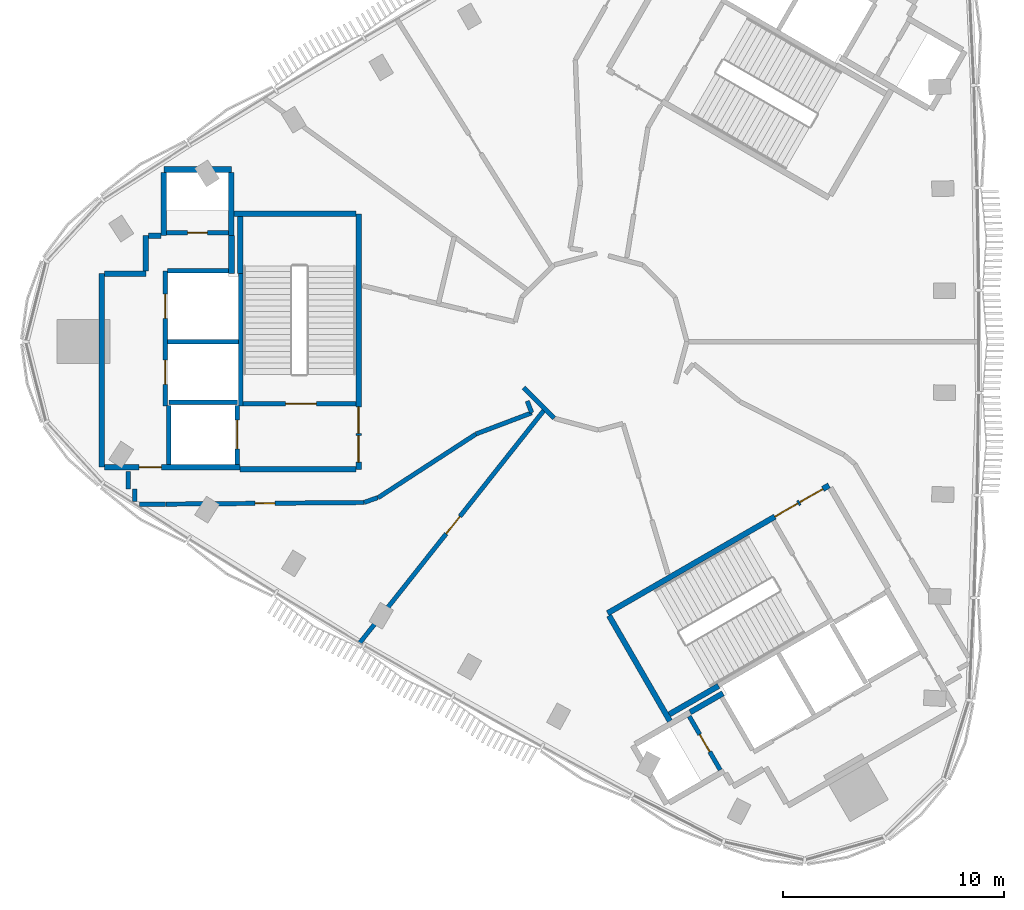
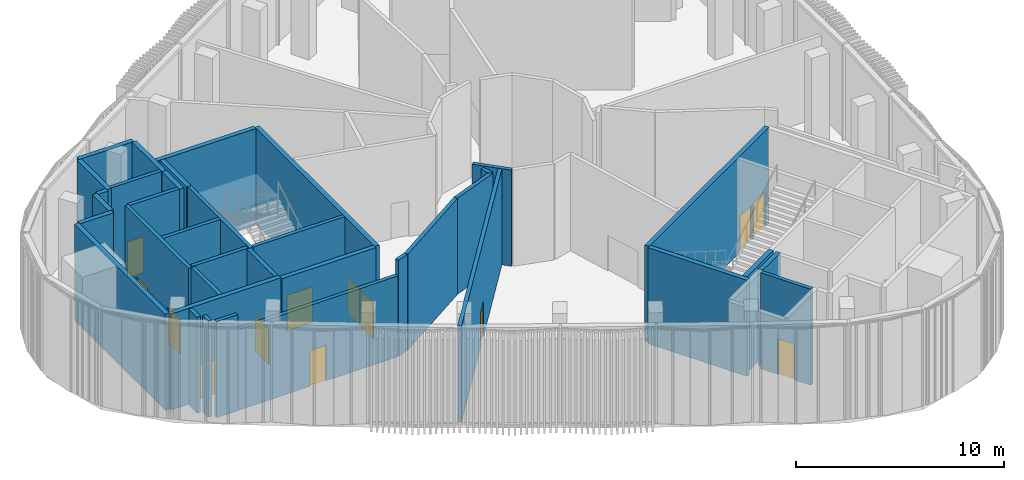
# One storey, part 3 of 11: 37 walls, 13 doors, 13 openings.
"""IFC4 building model written with IfcOpenShell, lengths in metres."""

from ifc_helpers import new_model, si_unit, direction, frame, frame_2d, origin, place, context, subcontext, project, spatial, rectangle, extrude, material, layer, layer_set, type_object, element, fill, save


model = new_model("IFC4")

# Units and contexts
model_context = context("Model", 3, precision=1e-05, world=origin(), true_north=direction((0.0, 1.0)))
body_context = subcontext(model_context, "Body", "Model", "MODEL_VIEW")
ifc_project = project(units=[si_unit("LENGTHUNIT", "METRE"), si_unit("AREAUNIT", "SQUARE_METRE"), si_unit("VOLUMEUNIT", "CUBIC_METRE"), si_unit("PLANEANGLEUNIT", "RADIAN"), si_unit("MASSUNIT", "GRAM", prefix="KILO")], contexts=[model_context])

# Site, building, storey
site_placement = place(None, origin())
site = spatial("IfcSite", under=ifc_project, at=site_placement, CompositionType="ELEMENT")
building_placement = place(site_placement, origin())
building = spatial("IfcBuilding", under=site, at=building_placement, Name="Tamra Quay Hotel Tower", CompositionType="ELEMENT")
storey_placement = place(building_placement, frame((0.0, 0.0, 306.60009765625)))
storey = spatial("IfcBuildingStorey", under=building, at=storey_placement, Name="L77", CompositionType="ELEMENT", Elevation=306.60009765625)

# Wall
ifc_material_1 = material(Name="Concrete M70", Category="concrete")
ifc_layer_1 = layer(ifc_material_1, 0.199951171875)
ifc_layer_set_1 = layer_set([ifc_layer_1], Name="Concrete M70 core wall 200")
wall_type_1 = type_object("IfcWallType", Name="Concrete M70 core wall 200", PredefinedType="SHEAR", material=ifc_layer_set_1)
wall_1_placement = place(storey_placement, frame((-16.162109375, 3.073974609375, 0.0), z_axis=(0.0, 0.0, 1.0), x_axis=(0.0, -1.0, 0.0)))
element("IfcWall", 1, at=wall_1_placement, inside=storey, type_object=wall_type_1, Name="CW2", PredefinedType="SHEAR", context=body_context, shape_type="SweptSolid", body=[
    extrude(rectangle(XDim=5.97412109375, YDim=0.199951171875, at=frame_2d((2.987060546875, 0.0))), origin(), (0.0, 0.0, 1.0), 5.64990234375),
])

# Wall, openings, doors
wall_2_placement = place(storey_placement, frame((-19.5625, -2.900146484375, 0.0), z_axis=(0.0, 0.0, 1.0), x_axis=(0.0, 1.0, 0.0)))
wall_2 = element("IfcWall", 2, at=wall_2_placement, inside=storey, type_object=wall_type_1, Name="CW2", PredefinedType="SHEAR", context=body_context, shape_type="SweptSolid", body=[
    extrude(rectangle(XDim=6.100341796875, YDim=0.199951171875, at=frame_2d((3.05029296875, 0.0))), origin(), (0.0, 0.0, 1.0), 5.64990234375),
])
opening_1_placement = place(wall_2_placement, frame((3.9501953125, 0.0, 0.0)))
opening_1 = element("IfcOpeningElement", 3, at=opening_1_placement, cuts=wall_2, Name="Opening LD", PredefinedType="OPENING", context=body_context, shape_type="SweptSolid", body=[
    extrude(rectangle(XDim=1.10009765625, YDim=2.10009765625, at=frame_2d((0.550048828125, 1.050048828125))), frame((0.0, 0.10986328125, 0.0), z_axis=(0.0, -1.0, 0.0), x_axis=(1.0, 0.0, 0.0)), (0.0, 0.0, 1.0), 0.219970703125),
])
opening_2_placement = place(wall_2_placement, frame((0.968017578125, 0.0, 0.0)))
opening_2 = element("IfcOpeningElement", 4, at=opening_2_placement, cuts=wall_2, Name="Opening LD", PredefinedType="OPENING", context=body_context, shape_type="SweptSolid", body=[
    extrude(rectangle(XDim=1.10009765625, YDim=2.10009765625, at=frame_2d((0.550048828125, 1.050048828125))), frame((0.0, 0.10986328125, 0.0), z_axis=(0.0, -1.0, 0.0), x_axis=(1.0, 0.0, 0.0)), (0.0, 0.0, 1.0), 0.219970703125),
])
ifc_material_2 = material(Name="Landing door LD 1100 double door sliding")
door_type_1 = type_object("IfcDoorType", Name="Landing door LD 1100 double door sliding", OperationType="DOUBLE_DOOR_SLIDING", PredefinedType="DOOR", material=ifc_material_2)
door_1_placement = place(opening_1_placement, origin())
door_1 = element("IfcDoor", 5, at=door_1_placement, inside=storey, type_object=door_type_1, Name="LD", OperationType="DOUBLE_DOOR_SLIDING", OverallHeight=2.10009765625, OverallWidth=1.10009765625, PredefinedType="DOOR", context=body_context, shape_type="SweptSolid", body=[
    extrude(rectangle(XDim=1.10009765625, YDim=2.10009765625, at=frame_2d((0.550048828125, 1.050048828125))), frame((0.0, 0.02490234375, 0.0), z_axis=(0.0, -1.0, 0.0), x_axis=(1.0, 0.0, 0.0)), (0.0, 0.0, 1.0), 0.050048828125),
])
fill(opening_1, door_1)
door_2_placement = place(opening_2_placement, origin())
door_2 = element("IfcDoor", 6, at=door_2_placement, inside=storey, type_object=door_type_1, Name="LD", OperationType="DOUBLE_DOOR_SLIDING", OverallHeight=2.10009765625, OverallWidth=1.10009765625, PredefinedType="DOOR", context=body_context, shape_type="SweptSolid", body=[
    extrude(rectangle(XDim=1.10009765625, YDim=2.10009765625, at=frame_2d((0.550048828125, 1.050048828125))), frame((0.0, 0.02490234375, 0.0), z_axis=(0.0, -1.0, 0.0), x_axis=(1.0, 0.0, 0.0)), (0.0, 0.0, 1.0), 0.050048828125),
])
fill(opening_2, door_2)

# Wall, opening, door
wall_3_placement = place(storey_placement, frame((-10.96337890625, -2.800048828125, 0.0), z_axis=(0.0, 0.0, 1.0), x_axis=(-1.0, 0.0, 0.0)))
wall_3 = element("IfcWall", 7, at=wall_3_placement, inside=storey, type_object=wall_type_1, Name="CW2", PredefinedType="SHEAR", context=body_context, shape_type="SweptSolid", body=[
    extrude(rectangle(XDim=5.097900390625, YDim=0.199951171875, at=frame_2d((2.548828125, 0.0))), origin(), (0.0, 0.0, 1.0), 5.64990234375),
])
opening_3_placement = place(wall_3_placement, frame((1.77392578125, 0.0, 0.0)))
opening_3 = element("IfcOpeningElement", 8, at=opening_3_placement, cuts=wall_3, Name="Opening FD2", PredefinedType="OPENING", context=body_context, shape_type="SweptSolid", body=[
    extrude(rectangle(XDim=1.39990234375, YDim=2.10009765625, at=frame_2d((0.699951171875, 1.050048828125))), frame((0.0, 0.10986328125, 0.0), z_axis=(0.0, -1.0, 0.0), x_axis=(1.0, 0.0, 0.0)), (0.0, 0.0, 1.0), 0.219970703125),
])
ifc_material_3 = material(Name="Core door FD2 1400x2100 LH")
door_type_2 = type_object("IfcDoorType", Name="Core door FD2 1400x2100 LH", OperationType="NOTDEFINED", PredefinedType="DOOR", material=ifc_material_3)
door_3_placement = place(opening_3_placement, origin())
door_3 = element("IfcDoor", 9, at=door_3_placement, inside=storey, type_object=door_type_2, Name="FD2", OperationType="SINGLE_SWING_LEFT", OverallHeight=2.10009765625, OverallWidth=1.39990234375, PredefinedType="DOOR", context=body_context, shape_type="SweptSolid", body=[
    extrude(rectangle(XDim=1.39990234375, YDim=2.10009765625, at=frame_2d((0.699951171875, 1.050048828125))), frame((0.0, 0.02490234375, 0.0), z_axis=(0.0, -1.0, 0.0), x_axis=(1.0, 0.0, 0.0)), (0.0, 0.0, 1.0), 0.050048828125),
])
fill(opening_3, door_3)

# Wall
wall_4_placement = place(storey_placement, frame((-16.26318359375, 0.0, 0.0), z_axis=(0.0, 0.0, 1.0), x_axis=(-1.0, 0.0, 0.0)))
element("IfcWall", 10, at=wall_4_placement, inside=storey, type_object=wall_type_1, Name="CW2", PredefinedType="SHEAR", context=body_context, shape_type="SweptSolid", body=[
    extrude(rectangle(XDim=3.1982421875, YDim=0.199951171875, at=frame_2d((1.59912109375, 0.0))), origin(), (0.0, 0.0, 1.0), 5.64990234375),
])

# Wall, opening, door
wall_5_placement = place(storey_placement, frame((-19.51123046875, 4.91015625, 0.0), z_axis=(0.0, 0.0, 1.0), x_axis=(1.0, 0.0, 0.0)))
wall_5 = element("IfcWall", 11, at=wall_5_placement, inside=storey, type_object=wall_type_1, Name="CW2", PredefinedType="SHEAR", context=body_context, shape_type="SweptSolid", body=[
    extrude(rectangle(XDim=2.7978515625, YDim=0.199951171875, at=frame_2d((1.39892578125, 0.0))), origin(), (0.0, 0.0, 1.0), 5.64990234375),
])
opening_4_placement = place(wall_5_placement, frame((0.948974609375, 0.0, 0.0)))
opening_4 = element("IfcOpeningElement", 12, at=opening_4_placement, cuts=wall_5, Name="Opening D1", PredefinedType="OPENING", context=body_context, shape_type="SweptSolid", body=[
    extrude(rectangle(XDim=0.89990234375, YDim=2.10009765625, at=frame_2d((0.449951171875, 1.050048828125))), frame((0.0, 0.10986328125, 0.0), z_axis=(0.0, -1.0, 0.0), x_axis=(1.0, 0.0, 0.0)), (0.0, 0.0, 1.0), 0.219970703125),
])
ifc_material_4 = material(Name="Core door D1 900x2100 RH")
door_type_3 = type_object("IfcDoorType", Name="Core door D1 900x2100 RH", OperationType="NOTDEFINED", PredefinedType="DOOR", material=ifc_material_4)
door_4_placement = place(opening_4_placement, origin())
door_4 = element("IfcDoor", 13, at=door_4_placement, inside=storey, type_object=door_type_3, Name="D1", OperationType="SINGLE_SWING_RIGHT", OverallHeight=2.10009765625, OverallWidth=0.89990234375, PredefinedType="DOOR", context=body_context, shape_type="SweptSolid", body=[
    extrude(rectangle(XDim=0.89990234375, YDim=2.10009765625, at=frame_2d((0.449951171875, 1.050048828125))), frame((0.0, 0.02490234375, 0.0), z_axis=(0.0, -1.0, 0.0), x_axis=(1.0, 0.0, 0.0)), (0.0, 0.0, 1.0), 0.050048828125),
])
fill(opening_4, door_4)

# Walls
wall_6_placement = place(storey_placement, frame((-19.46240234375, 3.2001953125, 0.0), z_axis=(0.0, 0.0, 1.0), x_axis=(1.0, 0.0, 0.0)))
element("IfcWall", 14, at=wall_6_placement, inside=storey, type_object=wall_type_1, Name="CW2", PredefinedType="SHEAR", context=body_context, shape_type="SweptSolid", body=[
    extrude(rectangle(XDim=2.759033203125, YDim=0.199951171875, at=frame_2d((1.37939453125, 0.0))), origin(), (0.0, 0.0, 1.0), 5.64990234375),
])
wall_7_placement = place(storey_placement, frame((-19.412353515625, -2.75, 0.0), z_axis=(0.0, 0.0, 1.0), x_axis=(1.0, 0.0, 0.0)))
element("IfcWall", 15, at=wall_7_placement, inside=storey, type_object=wall_type_1, Name="CW2", PredefinedType="SHEAR", context=body_context, shape_type="SweptSolid", body=[
    extrude(rectangle(XDim=3.10009765625, YDim=0.199951171875, at=frame_2d((1.550048828125, 0.0))), origin(), (0.0, 0.0, 1.0), 5.64990234375),
])

# Wall, opening, door
wall_8_placement = place(storey_placement, frame((-16.312255859375, -2.898193359375, 0.0), z_axis=(0.0, 0.0, 1.0), x_axis=(0.0, -1.0, 0.0)))
wall_8 = element("IfcWall", 16, at=wall_8_placement, inside=storey, type_object=wall_type_1, Name="CW2", PredefinedType="SHEAR", context=body_context, shape_type="SweptSolid", body=[
    extrude(rectangle(XDim=2.65087890625, YDim=0.199951171875, at=frame_2d((1.325439453125, 0.0))), origin(), (0.0, 0.0, 1.0), 5.64990234375),
])
opening_5_placement = place(wall_8_placement, frame((0.65185546875, 0.0, 0.0)))
opening_5 = element("IfcOpeningElement", 17, at=opening_5_placement, cuts=wall_8, Name="Opening LD", PredefinedType="OPENING", context=body_context, shape_type="SweptSolid", body=[
    extrude(rectangle(XDim=1.300048828125, YDim=2.10009765625, at=frame_2d((0.64990234375, 1.050048828125))), frame((0.0, 0.10986328125, 0.0), z_axis=(0.0, -1.0, 0.0), x_axis=(1.0, 0.0, 0.0)), (0.0, 0.0, 1.0), 0.219970703125),
])
ifc_material_5 = material(Name="Landing door LD 1300 sliding to left")
door_type_4 = type_object("IfcDoorType", Name="Landing door LD 1300 sliding to left", OperationType="NOTDEFINED", PredefinedType="DOOR", material=ifc_material_5)
door_5_placement = place(opening_5_placement, origin())
door_5 = element("IfcDoor", 18, at=door_5_placement, inside=storey, type_object=door_type_4, Name="LD", OperationType="SLIDING_TO_LEFT", OverallHeight=2.10009765625, OverallWidth=1.300048828125, PredefinedType="DOOR", context=body_context, shape_type="SweptSolid", body=[
    extrude(rectangle(XDim=1.300048828125, YDim=2.10009765625, at=frame_2d((0.64990234375, 1.050048828125))), frame((0.0, 0.02490234375, 0.0), z_axis=(0.0, -1.0, 0.0), x_axis=(1.0, 0.0, 0.0)), (0.0, 0.0, 1.0), 0.050048828125),
])
fill(opening_5, door_5)

# Wall
wall_9_placement = place(storey_placement, frame((-19.412353515625, -5.549072265625, 0.0), z_axis=(0.0, 0.0, 1.0), x_axis=(0.0, 1.0, 0.0)))
element("IfcWall", 19, at=wall_9_placement, inside=storey, type_object=wall_type_1, Name="CW2", PredefinedType="SHEAR", context=body_context, shape_type="SweptSolid", body=[
    extrude(rectangle(XDim=2.65087890625, YDim=0.199951171875, at=frame_2d((1.325439453125, 0.0))), origin(), (0.0, 0.0, 1.0), 5.64990234375),
])

# Wall, opening, door
wall_10_placement = place(storey_placement, frame((5.50341796875, -19.352294921875, 0.0), z_axis=(0.0, 0.0, 1.0), x_axis=(-0.499986818241, 0.866033014143, 0.0)))
wall_10 = element("IfcWall", 20, at=wall_10_placement, inside=storey, type_object=wall_type_1, Name="CW2", PredefinedType="SHEAR", context=body_context, shape_type="SweptSolid", body=[
    extrude(rectangle(XDim=2.7978515625, YDim=0.199951171875, at=frame_2d((1.39892578125, 0.0))), origin(), (0.0, 0.0, 1.0), 5.64990234375),
])
opening_6_placement = place(wall_10_placement, frame((0.948974609375, 0.0, 0.0)))
opening_6 = element("IfcOpeningElement", 21, at=opening_6_placement, cuts=wall_10, Name="Opening D1", PredefinedType="OPENING", context=body_context, shape_type="SweptSolid", body=[
    extrude(rectangle(XDim=0.89990234375, YDim=2.10009765625, at=frame_2d((0.449951171875, 1.050048828125))), frame((0.0, 0.10986328125, 0.0), z_axis=(0.0, -1.0, 0.0), x_axis=(1.0, 0.0, 0.0)), (0.0, 0.0, 1.0), 0.219970703125),
])
ifc_material_6 = material(Name="Core door D1 900x2100 LH")
door_type_5 = type_object("IfcDoorType", Name="Core door D1 900x2100 LH", OperationType="NOTDEFINED", PredefinedType="DOOR", material=ifc_material_6)
door_6_placement = place(opening_6_placement, origin())
door_6 = element("IfcDoor", 22, at=door_6_placement, inside=storey, type_object=door_type_5, Name="D1", OperationType="SINGLE_SWING_LEFT", OverallHeight=2.10009765625, OverallWidth=0.89990234375, PredefinedType="DOOR", context=body_context, shape_type="SweptSolid", body=[
    extrude(rectangle(XDim=0.89990234375, YDim=2.10009765625, at=frame_2d((0.449951171875, 1.050048828125))), frame((0.0, 0.02490234375, 0.0), z_axis=(0.0, -1.0, 0.0), x_axis=(1.0, 0.0, 0.0)), (0.0, 0.0, 1.0), 0.050048828125),
])
fill(opening_6, door_6)

# Wall, openings, doors
ifc_layer_2 = layer(ifc_material_1, 0.25)
ifc_layer_set_2 = layer_set([ifc_layer_2], Name="Concrete M70 core wall 250")
wall_type_2 = type_object("IfcWallType", Name="Concrete M70 core wall 250", PredefinedType="SHEAR", material=ifc_layer_set_2)
wall_11_placement = place(storey_placement, frame((-10.83740234375, 5.77490234375, 0.0), z_axis=(0.0, 0.0, 1.0), x_axis=(0.0, -1.0, 0.0)))
wall_11 = element("IfcWall", 23, at=wall_11_placement, inside=storey, type_object=wall_type_2, Name="CW1", PredefinedType="SHEAR", context=body_context, shape_type="SweptSolid", body=[
    extrude(rectangle(XDim=11.5498046875, YDim=0.25, at=frame_2d((5.77490234375, 0.0))), origin(), (0.0, 0.0, 1.0), 5.64990234375),
])
opening_7_placement = place(wall_11_placement, frame((10.02490234375, 0.0, 0.0)))
opening_7 = element("IfcOpeningElement", 24, at=opening_7_placement, cuts=wall_11, Name="Opening FD1", PredefinedType="OPENING", context=body_context, shape_type="SweptSolid", body=[
    extrude(rectangle(XDim=1.199951171875, YDim=2.10009765625, at=frame_2d((0.60009765625, 1.050048828125))), frame((0.0, 0.135009765625, 0.0), z_axis=(0.0, -1.0, 0.0), x_axis=(1.0, 0.0, 0.0)), (0.0, 0.0, 1.0), 0.27001953125),
])
opening_8_placement = place(wall_11_placement, frame((8.72509765625, 0.0, 0.0)))
opening_8 = element("IfcOpeningElement", 25, at=opening_8_placement, cuts=wall_11, Name="Opening FD1", PredefinedType="OPENING", context=body_context, shape_type="SweptSolid", body=[
    extrude(rectangle(XDim=1.199951171875, YDim=2.10009765625, at=frame_2d((0.60009765625, 1.050048828125))), frame((0.0, 0.135009765625, 0.0), z_axis=(0.0, -1.0, 0.0), x_axis=(1.0, 0.0, 0.0)), (0.0, 0.0, 1.0), 0.27001953125),
])
ifc_material_7 = material(Name="Core door FD1 1200x2100 LH")
door_type_6 = type_object("IfcDoorType", Name="Core door FD1 1200x2100 LH", OperationType="NOTDEFINED", PredefinedType="DOOR", material=ifc_material_7)
door_7_placement = place(opening_7_placement, origin())
door_7 = element("IfcDoor", 26, at=door_7_placement, inside=storey, type_object=door_type_6, Name="FD1", OperationType="SINGLE_SWING_LEFT", OverallHeight=2.10009765625, OverallWidth=1.199951171875, PredefinedType="DOOR", context=body_context, shape_type="SweptSolid", body=[
    extrude(rectangle(XDim=1.199951171875, YDim=2.10009765625, at=frame_2d((0.60009765625, 1.050048828125))), frame((0.0, 0.02490234375, 0.0), z_axis=(0.0, -1.0, 0.0), x_axis=(1.0, 0.0, 0.0)), (0.0, 0.0, 1.0), 0.050048828125),
])
fill(opening_7, door_7)
ifc_material_8 = material(Name="Core door FD1 1200x2100 RH")
door_type_7 = type_object("IfcDoorType", Name="Core door FD1 1200x2100 RH", OperationType="NOTDEFINED", PredefinedType="DOOR", material=ifc_material_8)
door_8_placement = place(opening_8_placement, origin())
door_8 = element("IfcDoor", 27, at=door_8_placement, inside=storey, type_object=door_type_7, Name="FD1", OperationType="SINGLE_SWING_RIGHT", OverallHeight=2.10009765625, OverallWidth=1.199951171875, PredefinedType="DOOR", context=body_context, shape_type="SweptSolid", body=[
    extrude(rectangle(XDim=1.199951171875, YDim=2.10009765625, at=frame_2d((0.60009765625, 1.050048828125))), frame((0.0, 0.02490234375, 0.0), z_axis=(0.0, -1.0, 0.0), x_axis=(1.0, 0.0, 0.0)), (0.0, 0.0, 1.0), 0.050048828125),
])
fill(opening_8, door_8)

# Wall
wall_12_placement = place(storey_placement, frame((-22.437255859375, -5.675048828125, 0.0), z_axis=(0.0, 0.0, 1.0), x_axis=(0.0, 1.0, 0.0)))
element("IfcWall", 28, at=wall_12_placement, inside=storey, type_object=wall_type_2, Name="CW1", PredefinedType="SHEAR", context=body_context, shape_type="SweptSolid", body=[
    extrude(rectangle(XDim=8.75, YDim=0.25, at=frame_2d((4.375, 0.0))), origin(), (0.0, 0.0, 1.0), 5.64990234375),
])

# Wall, opening, door
wall_13_placement = place(storey_placement, frame((-16.187255859375, -5.675048828125, 0.0), z_axis=(0.0, 0.0, 1.0), x_axis=(-1.0, 0.0, 0.0)))
wall_13 = element("IfcWall", 29, at=wall_13_placement, inside=storey, type_object=wall_type_2, Name="CW1", PredefinedType="SHEAR", context=body_context, shape_type="SweptSolid", body=[
    extrude(rectangle(XDim=6.12451171875, YDim=0.25, at=frame_2d((3.062255859375, 0.0))), origin(), (0.0, 0.0, 1.0), 5.64990234375),
])
opening_9_placement = place(wall_13_placement, frame((3.562744140625, 0.0, 0.0)))
opening_9 = element("IfcOpeningElement", 30, at=opening_9_placement, cuts=wall_13, Name="Opening FD3", PredefinedType="OPENING", context=body_context, shape_type="SweptSolid", body=[
    extrude(rectangle(XDim=1.0, YDim=2.10009765625, at=frame_2d((0.5, 1.050048828125))), frame((0.0, 0.135009765625, 0.0), z_axis=(0.0, -1.0, 0.0), x_axis=(1.0, 0.0, 0.0)), (0.0, 0.0, 1.0), 0.27001953125),
])
ifc_material_9 = material(Name="Core door FD3 1000x2100 LH")
door_type_8 = type_object("IfcDoorType", Name="Core door FD3 1000x2100 LH", OperationType="NOTDEFINED", PredefinedType="DOOR", material=ifc_material_9)
door_9_placement = place(opening_9_placement, origin())
door_9 = element("IfcDoor", 31, at=door_9_placement, inside=storey, type_object=door_type_8, Name="FD3", OperationType="SINGLE_SWING_LEFT", OverallHeight=2.10009765625, OverallWidth=1.0, PredefinedType="DOOR", context=body_context, shape_type="SweptSolid", body=[
    extrude(rectangle(XDim=1.0, YDim=2.10009765625, at=frame_2d((0.5, 1.050048828125))), frame((0.0, 0.02490234375, 0.0), z_axis=(0.0, -1.0, 0.0), x_axis=(1.0, 0.0, 0.0)), (0.0, 0.0, 1.0), 0.050048828125),
])
fill(opening_9, door_9)

# Walls
wall_14_placement = place(storey_placement, frame((-10.962646484375, -5.77490234375, 0.0), z_axis=(0.0, 0.0, 1.0), x_axis=(-1.0, 0.0, 0.0)))
element("IfcWall", 32, at=wall_14_placement, inside=storey, type_object=wall_type_2, Name="CW1", PredefinedType="SHEAR", context=body_context, shape_type="SweptSolid", body=[
    extrude(rectangle(XDim=5.224609375, YDim=0.25, at=frame_2d((2.6123046875, 0.0))), origin(), (0.0, 0.0, 1.0), 5.64990234375),
])
wall_15_placement = place(storey_placement, frame((-16.47216796875, 5.77490234375, 0.0), z_axis=(0.0, 0.0, 1.0), x_axis=(1.0, 0.0, 0.0)))
element("IfcWall", 33, at=wall_15_placement, inside=storey, type_object=wall_type_2, Name="CW1", PredefinedType="SHEAR", context=body_context, shape_type="SweptSolid", body=[
    extrude(rectangle(XDim=5.509521484375, YDim=0.25, at=frame_2d((2.7548828125, 0.0))), origin(), (0.0, 0.0, 1.0), 5.64990234375),
])
wall_16_placement = place(storey_placement, frame((-19.63720703125, 7.77490234375, 0.0), z_axis=(0.0, 0.0, 1.0), x_axis=(1.0, 0.0, 0.0)))
element("IfcWall", 34, at=wall_16_placement, inside=storey, type_object=wall_type_2, Name="CW1", PredefinedType="SHEAR", context=body_context, shape_type="SweptSolid", body=[
    extrude(rectangle(XDim=3.0498046875, YDim=0.25, at=frame_2d((1.52490234375, 0.0))), origin(), (0.0, 0.0, 1.0), 5.64990234375),
])
for number, where, z_axis, x_axis, name in (
    (35, (-16.58740234375, 7.649658203125, 0.0), (0.0, 0.0, 1.0), (0.0, -1.0, 0.0), "CW1"),
    (36, (-19.63720703125, 4.784912109375, 0.0), (0.0, 0.0, 1.0), (0.0, 1.0, 0.0), "CW1"),
):
    element("IfcWall", number, at=place(storey_placement, frame(where, z_axis=z_axis, x_axis=x_axis)), inside=storey, type_object=wall_type_2, Name=name, PredefinedType="SHEAR", context=body_context, shape_type="SweptSolid", body=[
        extrude(rectangle(XDim=2.86474609375, YDim=0.25, at=frame_2d((1.432373046875, 0.0))), origin(), (0.0, 0.0, 1.0), 5.64990234375),
    ])
wall_17_placement = place(storey_placement, frame((-16.187255859375, 3.074951171875, 0.0), z_axis=(0.0, 0.0, 1.0), x_axis=(0.0, 1.0, 0.0)))
element("IfcWall", 37, at=wall_17_placement, inside=storey, type_object=wall_type_2, Name="CW1", PredefinedType="SHEAR", context=body_context, shape_type="SweptSolid", body=[
    extrude(rectangle(XDim=2.57470703125, YDim=0.25, at=frame_2d((1.287353515625, 0.0))), origin(), (0.0, 0.0, 1.0), 5.64990234375),
])
wall_18_placement = place(storey_placement, frame((-22.311767578125, 3.074951171875, 0.0), z_axis=(0.0, 0.0, 1.0), x_axis=(1.0, 0.0, 0.0)))
element("IfcWall", 38, at=wall_18_placement, inside=storey, type_object=wall_type_2, Name="CW1", PredefinedType="SHEAR", context=body_context, shape_type="SweptSolid", body=[
    extrude(rectangle(XDim=1.864501953125, YDim=0.25, at=frame_2d((0.93212890625, 0.0))), origin(), (0.0, 0.0, 1.0), 5.64990234375),
])
wall_19_placement = place(storey_placement, frame((-16.577392578125, 4.784912109375, 0.0), z_axis=(0.0, 0.0, 1.0), x_axis=(0.0, -1.0, 0.0)))
element("IfcWall", 39, at=wall_19_placement, inside=storey, type_object=wall_type_2, Name="CW1", PredefinedType="SHEAR", context=body_context, shape_type="SweptSolid", body=[
    extrude(rectangle(XDim=1.7099609375, YDim=0.25, at=frame_2d((0.85498046875, 0.0))), origin(), (0.0, 0.0, 1.0), 5.64990234375),
])
wall_20_placement = place(storey_placement, frame((-20.447265625, 3.200439453125, 0.0), z_axis=(0.0, 0.0, 1.0), x_axis=(0.0, 1.0, 0.0)))
element("IfcWall", 40, at=wall_20_placement, inside=storey, type_object=wall_type_2, Name="CW1", PredefinedType="SHEAR", context=body_context, shape_type="SweptSolid", body=[
    extrude(rectangle(XDim=1.58447265625, YDim=0.25, at=frame_2d((0.792236328125, 0.0))), origin(), (0.0, 0.0, 1.0), 5.64990234375),
])
wall_21_placement = place(storey_placement, frame((-20.32177734375, 4.784912109375, 0.0), z_axis=(0.0, 0.0, 1.0), x_axis=(1.0, 0.0, 0.0)))
element("IfcWall", 41, at=wall_21_placement, inside=storey, type_object=wall_type_2, Name="CW1", PredefinedType="SHEAR", context=body_context, shape_type="SweptSolid", body=[
    extrude(rectangle(XDim=0.55908203125, YDim=0.25, at=frame_2d((0.279541015625, 0.0))), origin(), (0.0, 0.0, 1.0), 5.64990234375),
])

# Wall, openings, doors
wall_22_placement = place(storey_placement, frame((0.417236328125, -12.27294921875, 0.0), z_axis=(0.0, 0.0, 1.0), x_axis=(0.866021906294, 0.500006057782, 0.0)))
wall_22 = element("IfcWall", 42, at=wall_22_placement, inside=storey, type_object=wall_type_2, Name="CW1", PredefinedType="SHEAR", context=body_context, shape_type="SweptSolid", body=[
    extrude(rectangle(XDim=11.550048828125, YDim=0.25, at=frame_2d((5.77490234375, 0.0))), origin(), (0.0, 0.0, 1.0), 5.64990234375),
])
opening_10_placement = place(wall_22_placement, frame((10.024658203125, 0.0, 0.0)))
opening_10 = element("IfcOpeningElement", 43, at=opening_10_placement, cuts=wall_22, Name="Opening FD1", PredefinedType="OPENING", context=body_context, shape_type="SweptSolid", body=[
    extrude(rectangle(XDim=1.199951171875, YDim=2.10009765625, at=frame_2d((0.60009765625, 1.050048828125))), frame((0.0, 0.135009765625, 0.0), z_axis=(0.0, -1.0, 0.0), x_axis=(1.0, 0.0, 0.0)), (0.0, 0.0, 1.0), 0.27001953125),
])
opening_11_placement = place(wall_22_placement, frame((8.724609375, 0.0, 0.0)))
opening_11 = element("IfcOpeningElement", 44, at=opening_11_placement, cuts=wall_22, Name="Opening FD1", PredefinedType="OPENING", context=body_context, shape_type="SweptSolid", body=[
    extrude(rectangle(XDim=1.199951171875, YDim=2.10009765625, at=frame_2d((0.60009765625, 1.050048828125))), frame((0.0, 0.135009765625, 0.0), z_axis=(0.0, -1.0, 0.0), x_axis=(1.0, 0.0, 0.0)), (0.0, 0.0, 1.0), 0.27001953125),
])
door_10_placement = place(opening_10_placement, origin())
door_10 = element("IfcDoor", 45, at=door_10_placement, inside=storey, type_object=door_type_6, Name="FD1", OperationType="SINGLE_SWING_LEFT", OverallHeight=2.10009765625, OverallWidth=1.199951171875, PredefinedType="DOOR", context=body_context, shape_type="SweptSolid", body=[
    extrude(rectangle(XDim=1.199951171875, YDim=2.10009765625, at=frame_2d((0.60009765625, 1.050048828125))), frame((0.0, 0.02490234375, 0.0), z_axis=(0.0, -1.0, 0.0), x_axis=(1.0, 0.0, 0.0)), (0.0, 0.0, 1.0), 0.050048828125),
])
fill(opening_10, door_10)
door_11_placement = place(opening_11_placement, origin())
door_11 = element("IfcDoor", 46, at=door_11_placement, inside=storey, type_object=door_type_7, Name="FD1", OperationType="SINGLE_SWING_RIGHT", OverallHeight=2.10009765625, OverallWidth=1.199951171875, PredefinedType="DOOR", context=body_context, shape_type="SweptSolid", body=[
    extrude(rectangle(XDim=1.199951171875, YDim=2.10009765625, at=frame_2d((0.60009765625, 1.050048828125))), frame((0.0, 0.02490234375, 0.0), z_axis=(0.0, -1.0, 0.0), x_axis=(1.0, 0.0, 0.0)), (0.0, 0.0, 1.0), 0.050048828125),
])
fill(opening_11, door_11)

# Walls
wall_23_placement = place(storey_placement, frame((3.23486328125, -17.15283203125, 0.0), z_axis=(0.0, 0.0, 1.0), x_axis=(-0.500008851346, 0.866020293397, 0.0)))
element("IfcWall", 47, at=wall_23_placement, inside=storey, type_object=wall_type_2, Name="CW1", PredefinedType="SHEAR", context=body_context, shape_type="SweptSolid", body=[
    extrude(rectangle(XDim=5.509765625, YDim=0.25, at=frame_2d((2.7548828125, 0.0))), origin(), (0.0, 0.0, 1.0), 5.64990234375),
])
wall_24_placement = place(storey_placement, frame((5.4306640625, -15.55615234375, 0.0), z_axis=(0.0, 0.0, 1.0), x_axis=(-0.866022940537, -0.500004266446, 0.0)))
element("IfcWall", 48, at=wall_24_placement, inside=storey, type_object=wall_type_2, Name="CW1", PredefinedType="SHEAR", context=body_context, shape_type="SweptSolid", body=[
    extrude(rectangle(XDim=2.57470703125, YDim=0.25, at=frame_2d((1.287353515625, 0.0))), origin(), (0.0, 0.0, 1.0), 5.64990234375),
])
wall_25_placement = place(storey_placement, frame((4.144775390625, -16.748779296875, 0.0), z_axis=(0.0, 0.0, 1.0), x_axis=(0.866038183914, 0.499977863513, 0.0)))
element("IfcWall", 49, at=wall_25_placement, inside=storey, type_object=wall_type_2, Name="CW1", PredefinedType="SHEAR", context=body_context, shape_type="SweptSolid", body=[
    extrude(rectangle(XDim=1.7099609375, YDim=0.25, at=frame_2d((0.85498046875, 0.0))), origin(), (0.0, 0.0, 1.0), 5.64990234375),
])
ifc_material_10 = material(Name="Partition party wall")
ifc_layer_3 = layer(ifc_material_10, 0.199951171875)
ifc_layer_set_3 = layer_set([ifc_layer_3], Name="Partition party wall")
wall_type_3 = type_object("IfcWallType", Name="Partition party wall", PredefinedType="PARTITIONING", material=ifc_layer_set_3)
wall_26_placement = place(storey_placement, frame((-21.25, -6.64990234375, 0.0), z_axis=(0.0, 0.0, 1.0), x_axis=(0.0, 1.0, 0.0)))
element("IfcWall", 50, at=wall_26_placement, inside=storey, type_object=wall_type_3, Name="W-P", PredefinedType="PARTITIONING", context=body_context, shape_type="SweptSolid", body=[
    extrude(rectangle(XDim=0.789794921875, YDim=0.199951171875, at=frame_2d((0.39501953125, 0.0))), origin(), (0.0, 0.0, 1.0), 5.64990234375),
])
wall_27_placement = place(storey_placement, frame((-20.949951171875, -7.218017578125, 0.0), z_axis=(0.0, 0.0, 1.0), x_axis=(0.0, 1.0, 0.0)))
element("IfcWall", 51, at=wall_27_placement, inside=storey, type_object=wall_type_3, Name="W-P", PredefinedType="PARTITIONING", context=body_context, shape_type="SweptSolid", body=[
    extrude(rectangle(XDim=0.55712890625, YDim=0.199951171875, at=frame_2d((0.278564453125, 0.0))), origin(), (0.0, 0.0, 1.0), 5.64990234375),
])
wall_28_placement = place(storey_placement, frame((-20.72509765625, -7.35009765625, 0.0), z_axis=(0.0, 0.0, 1.0), x_axis=(1.0, 0.0, 0.0)))
element("IfcWall", 52, at=wall_28_placement, inside=storey, type_object=wall_type_3, Name="W-P", PredefinedType="PARTITIONING", context=body_context, shape_type="SweptSolid", body=[
    extrude(rectangle(XDim=1.175048828125, YDim=0.199951171875, at=frame_2d((0.58740234375, 0.0))), origin(), (0.0, 0.0, 1.0), 5.64990234375),
])

# Wall, opening, door
wall_29_placement = place(storey_placement, frame((-19.535888671875, -7.343994140625, 0.0), z_axis=(0.0, 0.0, 1.0), x_axis=(0.99996491102, 0.008377155152, 0.0)))
wall_29 = element("IfcWall", 53, at=wall_29_placement, inside=storey, type_object=wall_type_3, Name="W-P", PredefinedType="PARTITIONING", context=body_context, shape_type="SweptSolid", body=[
    extrude(rectangle(XDim=8.947021484375, YDim=0.199951171875, at=frame_2d((4.4736328125, 0.0))), origin(), (0.0, 0.0, 1.0), 4.75),
])
opening_12_placement = place(wall_29_placement, frame((4.023681640625, 0.0, 0.0)))
opening_12 = element("IfcOpeningElement", 54, at=opening_12_placement, cuts=wall_29, Name="Opening L77-D005", PredefinedType="OPENING", context=body_context, shape_type="SweptSolid", body=[
    extrude(rectangle(XDim=0.89990234375, YDim=2.10009765625, at=frame_2d((0.449951171875, 1.050048828125))), frame((0.0, 0.10986328125, 0.0), z_axis=(0.0, -1.0, 0.0), x_axis=(1.0, 0.0, 0.0)), (0.0, 0.0, 1.0), 0.219970703125),
])
ifc_material_11 = material(Name="Door service room 900x2100")
door_type_9 = type_object("IfcDoorType", Name="Door service room 900x2100", OperationType="NOTDEFINED", PredefinedType="DOOR", material=ifc_material_11)
door_12_placement = place(opening_12_placement, frame((0.89990234375, 0.0, 0.0), z_axis=(0.0, 0.0, 1.0), x_axis=(-1.0, 0.0, 0.0)))
door_12 = element("IfcDoor", 55, at=door_12_placement, inside=storey, type_object=door_type_9, Name="L77-D005", OperationType="SINGLE_SWING_LEFT", OverallHeight=2.10009765625, OverallWidth=0.89990234375, PredefinedType="DOOR", context=body_context, shape_type="SweptSolid", body=[
    extrude(rectangle(XDim=0.89990234375, YDim=2.10009765625, at=frame_2d((0.449951171875, 1.050048828125))), frame((0.0, 0.02490234375, 0.0), z_axis=(0.0, -1.0, 0.0), x_axis=(1.0, 0.0, 0.0)), (0.0, 0.0, 1.0), 0.050048828125),
])
fill(opening_12, door_12)

wall_30_placement = place(storey_placement, frame((-10.779541015625, -13.609375, 0.0), z_axis=(0.0, 0.0, 1.0), x_axis=(0.620923442864, 0.783871212702, 0.0)))
wall_30 = element("IfcWall", 56, at=wall_30_placement, inside=storey, type_object=wall_type_3, Name="W-P", PredefinedType="PARTITIONING", context=body_context, shape_type="SweptSolid", body=[
    extrude(rectangle(XDim=13.469482421875, YDim=0.199951171875, at=frame_2d((6.73486328125, 0.0))), origin(), (0.0, 0.0, 1.0), 5.64990234375),
])
opening_13_placement = place(wall_30_placement, frame((6.28271484375, 0.0, 0.0)))
opening_13 = element("IfcOpeningElement", 57, at=opening_13_placement, cuts=wall_30, Name="Opening L77-D008", PredefinedType="OPENING", context=body_context, shape_type="SweptSolid", body=[
    extrude(rectangle(XDim=1.0, YDim=2.10009765625, at=frame_2d((0.5, 1.050048828125))), frame((0.0, 0.10986328125, 0.0), z_axis=(0.0, -1.0, 0.0), x_axis=(1.0, 0.0, 0.0)), (0.0, 0.0, 1.0), 0.219970703125),
])
ifc_material_12 = material(Name="Door guest room 1000x2100")
door_type_10 = type_object("IfcDoorType", Name="Door guest room 1000x2100", OperationType="NOTDEFINED", PredefinedType="DOOR", material=ifc_material_12)
door_13_placement = place(opening_13_placement, origin())
door_13 = element("IfcDoor", 58, at=door_13_placement, inside=storey, type_object=door_type_10, Name="L77-D008", OperationType="SINGLE_SWING_LEFT", OverallHeight=2.10009765625, OverallWidth=1.0, PredefinedType="DOOR", context=body_context, shape_type="SweptSolid", body=[
    extrude(rectangle(XDim=1.0, YDim=2.10009765625, at=frame_2d((0.5, 1.050048828125))), frame((0.0, 0.02490234375, 0.0), z_axis=(0.0, -1.0, 0.0), x_axis=(1.0, 0.0, 0.0)), (0.0, 0.0, 1.0), 0.050048828125),
])
fill(opening_13, door_13)

# Walls
wall_31_placement = place(storey_placement, frame((-10.5869140625, -7.26904296875, 0.0), z_axis=(0.0, 0.0, 1.0), x_axis=(0.941160873435, 0.337958888499, 0.0)))
element("IfcWall", 59, at=wall_31_placement, inside=storey, type_object=wall_type_3, Name="W-P", PredefinedType="PARTITIONING", context=body_context, shape_type="SweptSolid", body=[
    extrude(rectangle(XDim=0.64794921875, YDim=0.199951171875, at=frame_2d((0.323974609375, 0.0))), origin(), (0.0, 0.0, 1.0), 5.64990234375),
])
wall_32_placement = place(storey_placement, frame((-9.958251953125, -7.05517578125, 0.0), z_axis=(0.0, 0.0, 1.0), x_axis=(0.83844573603, 0.544985089459, 0.0)))
element("IfcWall", 60, at=wall_32_placement, inside=storey, type_object=wall_type_3, Name="W-P", PredefinedType="PARTITIONING", context=body_context, shape_type="SweptSolid", body=[
    extrude(rectangle(XDim=5.262939453125, YDim=0.199951171875, at=frame_2d((2.63134765625, 0.0))), origin(), (0.0, 0.0, 1.0), 5.64990234375),
])
wall_33_placement = place(storey_placement, frame((-5.5380859375, -4.177978515625, 0.0), z_axis=(0.0, 0.0, 1.0), x_axis=(0.934900176388, 0.354910777788, 0.0)))
element("IfcWall", 61, at=wall_33_placement, inside=storey, type_object=wall_type_3, Name="W-P", PredefinedType="PARTITIONING", context=body_context, shape_type="SweptSolid", body=[
    extrude(rectangle(XDim=2.696533203125, YDim=0.199951171875, at=frame_2d((1.34814453125, 0.0))), origin(), (0.0, 0.0, 1.0), 5.64990234375),
])
wall_34_placement = place(storey_placement, frame((-3.385986328125, -2.076904296875, 0.0), z_axis=(0.0, 0.0, 1.0), x_axis=(0.706733144921, -0.707480220127, 0.0)))
element("IfcWall", 62, at=wall_34_placement, inside=storey, type_object=wall_type_3, Name="W-P", PredefinedType="PARTITIONING", context=body_context, shape_type="SweptSolid", body=[
    extrude(rectangle(XDim=1.960693359375, YDim=0.199951171875, at=frame_2d((0.98046875, 0.0))), origin(), (0.0, 0.0, 1.0), 5.64990234375),
])
wall_35_placement = place(storey_placement, frame((-3.215087890625, -2.68701171875, 0.0), z_axis=(0.0, 0.0, 1.0), x_axis=(0.358080546194, -0.933690699556, 0.0)))
element("IfcWall", 63, at=wall_35_placement, inside=storey, type_object=wall_type_3, Name="W-P", PredefinedType="PARTITIONING", context=body_context, shape_type="SweptSolid", body=[
    extrude(rectangle(XDim=0.564453125, YDim=0.199951171875, at=frame_2d((0.2822265625, 0.0))), origin(), (0.0, 0.0, 1.0), 5.64990234375),
])

save(model, "model.ifc")
